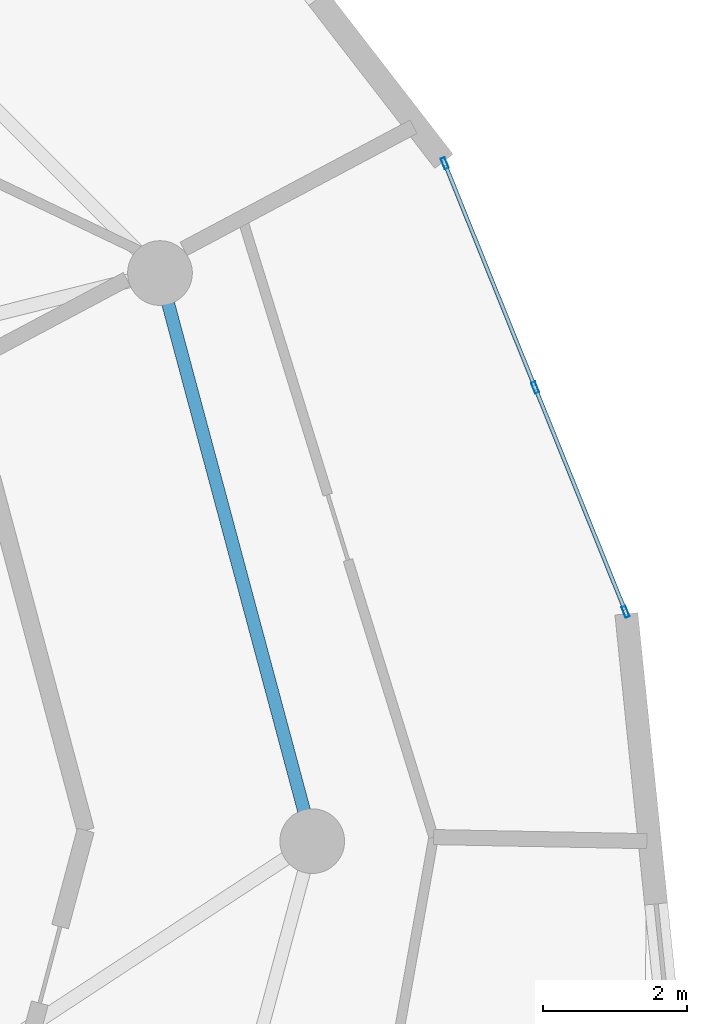
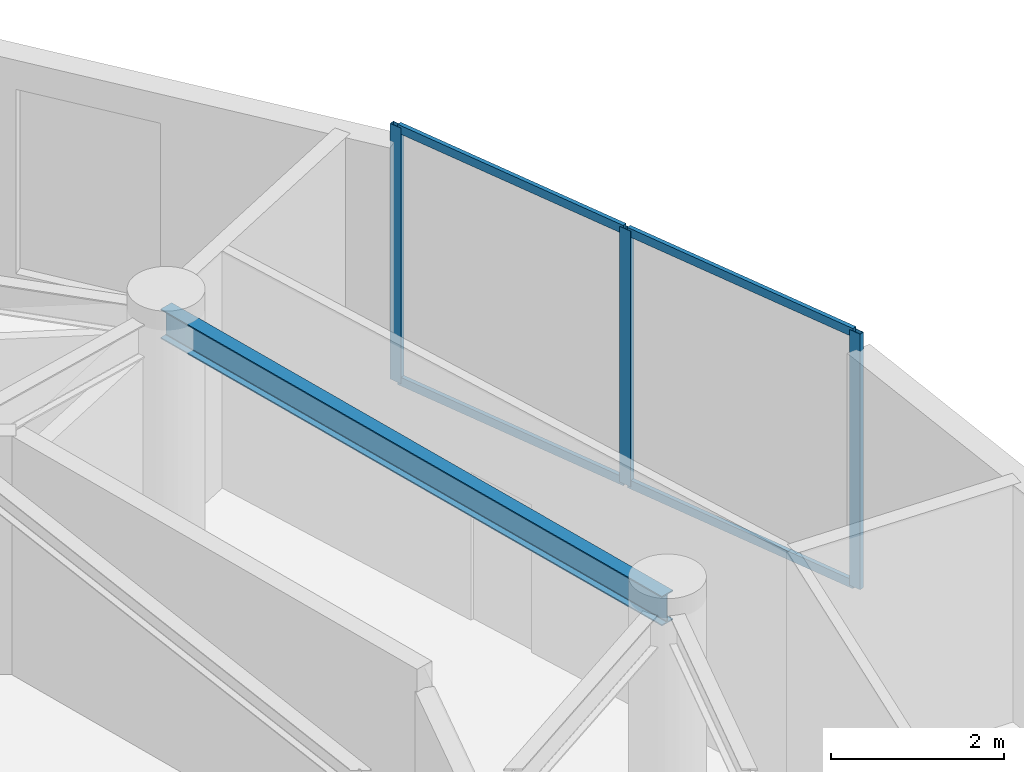
# One storey, part 8 of 17: 7 members, 1 beam, 1 element without a shape of its own.
"""IFC4 building model written with IfcOpenShell, lengths in metres."""

import ifcopenshell
import ifcopenshell.guid

model = None  # the IFC model being written
_history = None  # IfcOwnerHistory: only IFC2X3 demands one
_inside = {}  # id of a spatial element -> (the spatial element, [elements in it])
_under = {}  # id of a project, library or spatial element -> (it, [spatial elements below it])
_declared = {}  # id of a project -> (the project, [libraries it declares])
_typed = {}  # id of a type object -> (the type object, [elements of that type])
_made_of = {}  # id of a material, layer set ... -> (it, [elements and type objects made of it])


def new_model(schema):
    """Start an empty IFC model of exactly this schema.

    Asked for "IFC4X3", IfcOpenShell would pick the latest addendum, in which some entities
    have other attributes; the version numbers below select the first issue.
    IFC2X3 requires an IfcOwnerHistory on every rooted entity: one is made here for all.
    """
    global model, _history
    if schema == "IFC4X3":
        model = ifcopenshell.file(schema_version=(4, 3, 0, 0))
    else:
        model = ifcopenshell.file(schema=schema)
    _inside.clear()
    _under.clear()
    _declared.clear()
    _typed.clear()
    _made_of.clear()
    _history = None
    if model.schema == "IFC2X3":
        org = make("IfcOrganization", Name="unknown")
        user = make(
            "IfcPersonAndOrganization",
            ThePerson=make("IfcPerson", FamilyName="unknown"),
            TheOrganization=org,
        )
        app = make(
            "IfcApplication",
            ApplicationDeveloper=org,
            Version="unknown",
            ApplicationFullName="unknown",
            ApplicationIdentifier="unknown",
        )
        _history = make(
            "IfcOwnerHistory",
            OwningUser=user,
            OwningApplication=app,
            ChangeAction="ADDED",
            CreationDate=0,
        )
    return model


def make(cls, **values):
    """One entity of the class cls with the attributes given. An attribute that is None is left unset."""
    return model.create_entity(
        cls, **{name: value for name, value in values.items() if value is not None}
    )


def rooted(cls, **values):
    """An entity with a GlobalId (a new one), such as an element, a storey or a relation."""
    return make(cls, GlobalId=ifcopenshell.guid.new(), OwnerHistory=_history, **values)


def si_unit(unit_type, name, prefix=None):
    """IfcSIUnit, for example si_unit("LENGTHUNIT", "METRE", prefix="MILLI")."""
    return make("IfcSIUnit", UnitType=unit_type, Prefix=prefix, Name=name)


def assignment(units):
    """IfcUnitAssignment: the units of a project."""
    return None if units is None else make("IfcUnitAssignment", Units=units)


def point(xyz):
    """IfcCartesianPoint."""
    return None if xyz is None else make("IfcCartesianPoint", Coordinates=xyz)


def direction(xyz):
    """IfcDirection."""
    return None if xyz is None else make("IfcDirection", DirectionRatios=xyz)


def frame(location, z_axis=None, x_axis=None):
    """IfcAxis2Placement3D, a coordinate frame: its origin and axes. An axis left out is left unset."""
    return make(
        "IfcAxis2Placement3D",
        Location=point(location),
        Axis=direction(z_axis),
        RefDirection=direction(x_axis),
    )


def frame_2d(location, x_axis=None):
    """IfcAxis2Placement2D, a coordinate frame in the plane: its origin and x axis."""
    return make(
        "IfcAxis2Placement2D", Location=point(location), RefDirection=direction(x_axis)
    )


def origin():
    """The frame at (0, 0, 0) with its axes left unset."""
    return frame((0.0, 0.0, 0.0))


def origin_2d():
    """The frame at (0, 0) in the plane with its x axis left unset."""
    return frame_2d((0.0, 0.0))


def place(relative_to, where):
    """IfcLocalPlacement: puts the frame where relative to a parent placement (None: the world)."""
    return make(
        "IfcLocalPlacement", PlacementRelTo=relative_to, RelativePlacement=where
    )


def context(
    kind, dimensions, precision=None, world=None, true_north=None, identifier=None
):
    """IfcGeometricRepresentationContext, for example the 3D "Model" context."""
    return make(
        "IfcGeometricRepresentationContext",
        ContextIdentifier=identifier,
        ContextType=kind,
        CoordinateSpaceDimension=dimensions,
        Precision=precision,
        WorldCoordinateSystem=world,
        TrueNorth=true_north,
    )


def subcontext(parent, identifier, kind, view, scale=None):
    """IfcGeometricRepresentationSubContext, for example "Body" below "Model"."""
    return make(
        "IfcGeometricRepresentationSubContext",
        ContextIdentifier=identifier,
        ContextType=kind,
        ParentContext=parent,
        TargetScale=scale,
        TargetView=view,
    )


def project(units=None, contexts=None):
    """IfcProject with its units and contexts."""
    return rooted(
        "IfcProject",
        Name="project",
        RepresentationContexts=contexts,
        UnitsInContext=assignment(units),
    )


def spatial(cls, under=None, at=None, **own):
    """A site, building, storey or space (cls), placed at a placement, below another one or the project."""
    s = rooted(cls, ObjectPlacement=at, **own)
    if under is not None:
        _under.setdefault(under.id(), (under, []))[1].append(s)
    return s


def profile(cls, at=None, kind="AREA", **sizes):
    """A parametric profile (cls). Its sizes go by their IFC names, for example OverallWidth=200.0."""
    return make(cls, ProfileType=kind, Position=at, **sizes)


def hollow_rectangle(**sizes):
    """IfcRectangleHollowProfileDef."""
    return profile("IfcRectangleHollowProfileDef", **sizes)


def i_section(**sizes):
    """IfcIShapeProfileDef."""
    return profile("IfcIShapeProfileDef", **sizes)


def extrude(swept, where, along, depth):
    """IfcExtrudedAreaSolid: the profile swept, set in the frame where, extruded along a direction by depth."""
    return make(
        "IfcExtrudedAreaSolid",
        SweptArea=swept,
        Position=where,
        ExtrudedDirection=direction(along),
        Depth=depth,
    )


def shape(context_of_items, identifier, shape_type, items):
    """IfcShapeRepresentation: the items that make up one representation, for example the "Body"."""
    return make(
        "IfcShapeRepresentation",
        ContextOfItems=context_of_items,
        RepresentationIdentifier=identifier,
        RepresentationType=shape_type,
        Items=items,
    )


def source(mapping_origin, context_of_items, identifier, shape_type, items):
    """IfcRepresentationMap: a shape defined once, which mapped items show again and again."""
    return make(
        "IfcRepresentationMap",
        MappingOrigin=mapping_origin,
        MappedRepresentation=shape(context_of_items, identifier, shape_type, items),
    )


def transform(
    local_origin,
    x_axis=None,
    y_axis=None,
    z_axis=None,
    scale=None,
    scale2=None,
    scale3=None,
    uniform=True,
):
    """IfcCartesianTransformationOperator3D, or its non-uniform kind. x_axis, y_axis, z_axis: its Axis1, 2, 3."""
    if uniform:
        return make(
            "IfcCartesianTransformationOperator3D",
            Axis1=direction(x_axis),
            Axis2=direction(y_axis),
            LocalOrigin=point(local_origin),
            Scale=scale,
            Axis3=direction(z_axis),
        )
    return make(
        "IfcCartesianTransformationOperator3DnonUniform",
        Axis1=direction(x_axis),
        Axis2=direction(y_axis),
        LocalOrigin=point(local_origin),
        Scale=scale,
        Axis3=direction(z_axis),
        Scale2=scale2,
        Scale3=scale3,
    )


def mapped(mapping_source, mapping_target):
    """IfcMappedItem: shows the shape of a source again, moved by a transform."""
    return make(
        "IfcMappedItem", MappingSource=mapping_source, MappingTarget=mapping_target
    )


def material(Name=None, Category=None):
    """IfcMaterial."""
    return make("IfcMaterial", Name=Name, Category=Category)


def layer(
    of_material, thickness, ventilated=None, Name=None, Category=None, Priority=None
):
    """IfcMaterialLayer: one layer of a wall or slab, of a material (None: an air gap)."""
    return make(
        "IfcMaterialLayer",
        Material=of_material,
        LayerThickness=thickness,
        IsVentilated=ventilated,
        Name=Name,
        Category=Category,
        Priority=Priority,
    )


def layer_set(layers, Name=None):
    """IfcMaterialLayerSet."""
    return make("IfcMaterialLayerSet", MaterialLayers=layers, LayerSetName=Name)


def material_profile(
    of_material, cross_section, Name=None, Category=None, Priority=None
):
    """IfcMaterialProfile: a cross section and its material."""
    return make(
        "IfcMaterialProfile",
        Name=Name,
        Material=of_material,
        Profile=cross_section,
        Priority=Priority,
        Category=Category,
    )


def profile_set(profiles, Name=None, composite=None):
    """IfcMaterialProfileSet."""
    return make(
        "IfcMaterialProfileSet",
        Name=Name,
        MaterialProfiles=profiles,
        CompositeProfile=composite,
    )


def made_of(thing, what):
    """Note that an element or type object is made of a material, layer set ...; save() writes the relation."""
    if what is not None:
        _made_of.setdefault(what.id(), (what, []))[1].append(thing)
    return thing


def type_object(cls, material=None, **own):
    """A type object (cls), such as IfcWallType, which elements share."""
    return made_of(rooted(cls, **own), material)


def element(
    cls,
    number,
    at=None,
    inside=None,
    cuts=None,
    type_object=None,
    material=None,
    context=None,
    identifier="Body",
    shape_type=None,
    held_by="IfcProductDefinitionShape",
    body=None,
    shapes=None,
    **own,
):
    """One element of the class cls, such as IfcWall. Its Tag is "e" and its number.

    at: its placement. inside: the storey or other place that contains it. cuts: it is an
    opening in that element (IfcRelVoidsElement). A single representation is given by context,
    identifier, shape_type and body (its items); several are given by shapes. held_by: the class
    of the entity that holds the representations. save() writes the other relations.
    """
    e = rooted(cls, Tag="e%d" % number, ObjectPlacement=at, **own)
    if body is not None:
        shapes = [shape(context, identifier, shape_type, body)]
    if shapes is not None:
        e.Representation = make(held_by, Representations=shapes)
    if inside is not None:
        _inside.setdefault(inside.id(), (inside, []))[1].append(e)
    if cuts is not None:
        rooted(
            "IfcRelVoidsElement", RelatingBuildingElement=cuts, RelatedOpeningElement=e
        )
    if type_object is not None:
        _typed.setdefault(type_object.id(), (type_object, []))[1].append(e)
    return made_of(e, material)


def aggregate(whole, parts):
    """IfcRelAggregates: a whole, such as a stair, and the parts it consists of."""
    return rooted("IfcRelAggregates", RelatingObject=whole, RelatedObjects=parts)


def save(model, path):
    """Write the relations noted so far, then the file.

    IfcRelAggregates (storeys below a building ...), IfcRelContainedInSpatialStructure (elements
    in a storey), IfcRelDefinesByType, IfcRelAssociatesMaterial and IfcRelDeclares: one each for
    every whole, place, type object, material and project.
    """
    for whole, parts in _under.values():
        aggregate(whole, parts)
    for where, things in _inside.values():
        rooted(
            "IfcRelContainedInSpatialStructure",
            RelatedElements=things,
            RelatingStructure=where,
        )
    for kind, things in _typed.values():
        rooted("IfcRelDefinesByType", RelatedObjects=things, RelatingType=kind)
    for what, things in _made_of.values():
        rooted("IfcRelAssociatesMaterial", RelatedObjects=things, RelatingMaterial=what)
    for by, libraries in _declared.values():
        rooted("IfcRelDeclares", RelatingContext=by, RelatedDefinitions=libraries)
    model.write(path)


model = new_model("IFC4")

# Units and contexts
model_context = context("Model", 3, precision=1e-05, world=origin(), true_north=direction((0.0, 1.0)))
body_context = subcontext(model_context, "Body", "Model", "MODEL_VIEW")
ifc_project = project(units=[si_unit("LENGTHUNIT", "METRE"), si_unit("AREAUNIT", "SQUARE_METRE"), si_unit("VOLUMEUNIT", "CUBIC_METRE"), si_unit("PLANEANGLEUNIT", "RADIAN"), si_unit("MASSUNIT", "GRAM", prefix="KILO")], contexts=[model_context])

# Site, building, storey
site_placement = place(None, origin())
site = spatial("IfcSite", under=ifc_project, at=site_placement, CompositionType="ELEMENT")
building_placement = place(site_placement, origin())
building = spatial("IfcBuilding", under=site, at=building_placement, Name="Solvirekh Grand Hotel", CompositionType="ELEMENT")
storey_placement = place(building_placement, frame((0.0, 0.0, 191.199951171875)))
storey = spatial("IfcBuildingStorey", under=building, at=storey_placement, Name="L49", CompositionType="ELEMENT", Elevation=191.199951171875)

# Beam
ifc_material_1 = material(Name="Steel S355", Category="steel")
ifc_material_profile_1 = material_profile(ifc_material_1, i_section(OverallWidth=0.180908203125, OverallDepth=0.4169921875, WebThickness=0.010009765625, FlangeThickness=0.01611328125, FilletRadius=0.011962890625, at=origin_2d()), Name="W410X85")
ifc_profile_set_1 = profile_set([ifc_material_profile_1], Name="Steel S355")
beam_type = type_object("IfcBeamType", Name="Spandrel_Ring_W410", PredefinedType="SPANDREL", material=ifc_profile_set_1)
beam_placement = place(storey_placement, frame((15.800048828125, 0.0, 3.152099609375), z_axis=(-0.258838541915, 0.965920601923, 0.0), x_axis=(-0.965920601923, -0.258838541915, 0.0)))
element("IfcBeam", 1, at=beam_placement, inside=storey, type_object=beam_type, Name="L49 perimeter spandrel beam 1", PredefinedType="SPANDREL", context=body_context, shape_type="SweptSolid", body=[
    extrude(i_section(OverallWidth=0.180908203125, OverallDepth=0.4169921875, WebThickness=0.010009765625, FlangeThickness=0.01611328125, FilletRadius=0.011962890625, at=origin_2d()), origin(), (0.0, 0.0, 1.0), 8.1787109375),
])

# Curtain wall, members
ifc_material_2 = material(Name="Anodized Bronze Aluminium 6063-T6", Category="aluminium")
ifc_layer = layer(ifc_material_2, 0.159912109375)
ifc_layer_set = layer_set([ifc_layer], Name="Anodized Bronze Aluminium 6063-T6")
curtain_wall_type = type_object("IfcCurtainWallType", Name="CW_Sys4_HighZoneFlushBronzeCW", PredefinedType="NOTDEFINED", material=ifc_layer_set)
curtain_wall_placement = place(storey_placement, origin())
curtain_wall = element("IfcCurtainWall", 2, at=curtain_wall_placement, inside=storey, type_object=curtain_wall_type, Name="L49 unitised bronze-glass curtain wall CW-L49-C05", PredefinedType="NOTDEFINED")
ifc_material_profile_2 = material_profile(ifc_material_2, hollow_rectangle(XDim=0.06005859375, YDim=0.159912109375, WallThickness=0.0048828125, at=origin_2d()), Name="ALU RHS 160X60X5")
ifc_profile_set_2 = profile_set([ifc_material_profile_2], Name="Anodized Bronze Aluminium 6063-T6")
member_type_1 = type_object("IfcMemberType", Name="CWMullion_Sys4", PredefinedType="MULLION", material=ifc_profile_set_2)
shared_shape_1 = source(origin(), body_context, "Body", "SweptSolid", [
    extrude(hollow_rectangle(XDim=0.06005859375, YDim=0.159912109375, WallThickness=0.0048828125, at=origin_2d()), origin(), (0.0, 0.0, 1.0), 3.60009765625),
])
member_1_placement = place(storey_placement, frame((20.15771484375, 3.188720703125, 0.0), z_axis=(0.0, 0.0, 1.0), x_axis=(-0.927415912966, -0.374031715736, 0.0)))
member_1 = element("IfcMember", 3, at=member_1_placement, type_object=member_type_1, Name="U04 mullion 1", PredefinedType="MULLION", context=body_context, shape_type="MappedRepresentation", body=[
    mapped(shared_shape_1, transform((0.0, 0.0, 0.0), x_axis=(1.0, 0.0, 0.0), y_axis=(0.0, 1.0, 0.0), z_axis=(0.0, 0.0, 1.0), scale=1.0)),
])
member_2_placement = place(storey_placement, frame((18.89990234375, 6.3076171875, 0.0), z_axis=(0.0, 0.0, 1.0), x_axis=(-0.927415912966, -0.374031715736, 0.0)))
member_2 = element("IfcMember", 4, at=member_2_placement, type_object=member_type_1, Name="U04 mullion 2", PredefinedType="MULLION", context=body_context, shape_type="MappedRepresentation", body=[
    mapped(shared_shape_1, transform((0.0, 0.0, 0.0), x_axis=(1.0, 0.0, 0.0), y_axis=(0.0, 1.0, 0.0), z_axis=(0.0, 0.0, 1.0), scale=1.0)),
])
member_3_placement = place(storey_placement, frame((17.642333984375, 9.42626953125, 0.0), z_axis=(0.0, 0.0, 1.0), x_axis=(-0.927415912966, -0.374031715736, 0.0)))
member_3 = element("IfcMember", 5, at=member_3_placement, type_object=member_type_1, Name="U04 mullion 3", PredefinedType="MULLION", context=body_context, shape_type="MappedRepresentation", body=[
    mapped(shared_shape_1, transform((0.0, 0.0, 0.0), x_axis=(1.0, 0.0, 0.0), y_axis=(0.0, 1.0, 0.0), z_axis=(0.0, 0.0, 1.0), scale=1.0)),
])
ifc_material_profile_3 = material_profile(ifc_material_2, hollow_rectangle(XDim=0.054931640625, YDim=0.1201171875, WallThickness=0.00390625, at=origin_2d()), Name="ALU RHS 120X55X4")
ifc_profile_set_3 = profile_set([ifc_material_profile_3], Name="Anodized Bronze Aluminium 6063-T6")
member_type_2 = type_object("IfcMemberType", Name="CWTransom_Sys4", PredefinedType="USERDEFINED", material=ifc_profile_set_3)
shared_shape_2 = source(origin(), body_context, "Body", "SweptSolid", [
    extrude(hollow_rectangle(XDim=0.054931640625, YDim=0.1201171875, WallThickness=0.00390625, at=origin_2d()), origin(), (0.0, 0.0, 1.0), 3.302978515625),
])
member_4_placement = place(storey_placement, frame((20.146484375, 3.216552734375, 0.027587890625), z_axis=(-0.374014480788, 0.927422863725, 0.0), x_axis=(-0.927422863725, -0.374014480788, 0.0)))
member_4 = element("IfcMember", 6, at=member_4_placement, type_object=member_type_2, Name="U04 transom 1.1", ObjectType="TRANSOM", PredefinedType="USERDEFINED", context=body_context, shape_type="MappedRepresentation", body=[
    mapped(shared_shape_2, transform((0.0, 0.0, 0.0), x_axis=(1.0, 0.0, 0.0), y_axis=(0.0, 1.0, 0.0), z_axis=(0.0, 0.0, 1.0), scale=1.0)),
])
member_5_placement = place(storey_placement, frame((20.146484375, 3.216552734375, 3.572509765625), z_axis=(-0.374014480788, 0.927422863725, 0.0), x_axis=(-0.927422863725, -0.374014480788, 0.0)))
member_5 = element("IfcMember", 7, at=member_5_placement, type_object=member_type_2, Name="U04 transom 1.2", ObjectType="TRANSOM", PredefinedType="USERDEFINED", context=body_context, shape_type="MappedRepresentation", body=[
    mapped(shared_shape_2, transform((0.0, 0.0, 0.0), x_axis=(1.0, 0.0, 0.0), y_axis=(0.0, 1.0, 0.0), z_axis=(0.0, 0.0, 1.0), scale=1.0)),
])
member_6_placement = place(storey_placement, frame((18.888671875, 6.335205078125, 0.027587890625), z_axis=(-0.374014480788, 0.927422863725, 0.0), x_axis=(-0.927422863725, -0.374014480788, 0.0)))
member_6 = element("IfcMember", 8, at=member_6_placement, type_object=member_type_2, Name="U04 transom 2.1", ObjectType="TRANSOM", PredefinedType="USERDEFINED", context=body_context, shape_type="MappedRepresentation", body=[
    mapped(shared_shape_2, transform((0.0, 0.0, 0.0), x_axis=(1.0, 0.0, 0.0), y_axis=(0.0, 1.0, 0.0), z_axis=(0.0, 0.0, 1.0), scale=1.0)),
])
member_7_placement = place(storey_placement, frame((18.888671875, 6.335205078125, 3.572509765625), z_axis=(-0.374014480788, 0.927422863725, 0.0), x_axis=(-0.927422863725, -0.374014480788, 0.0)))
member_7 = element("IfcMember", 9, at=member_7_placement, type_object=member_type_2, Name="U04 transom 2.2", ObjectType="TRANSOM", PredefinedType="USERDEFINED", context=body_context, shape_type="MappedRepresentation", body=[
    mapped(shared_shape_2, transform((0.0, 0.0, 0.0), x_axis=(1.0, 0.0, 0.0), y_axis=(0.0, 1.0, 0.0), z_axis=(0.0, 0.0, 1.0), scale=1.0)),
])
aggregate(curtain_wall, [member_1, member_2, member_3, member_4, member_5, member_6, member_7])

save(model, "model.ifc")
